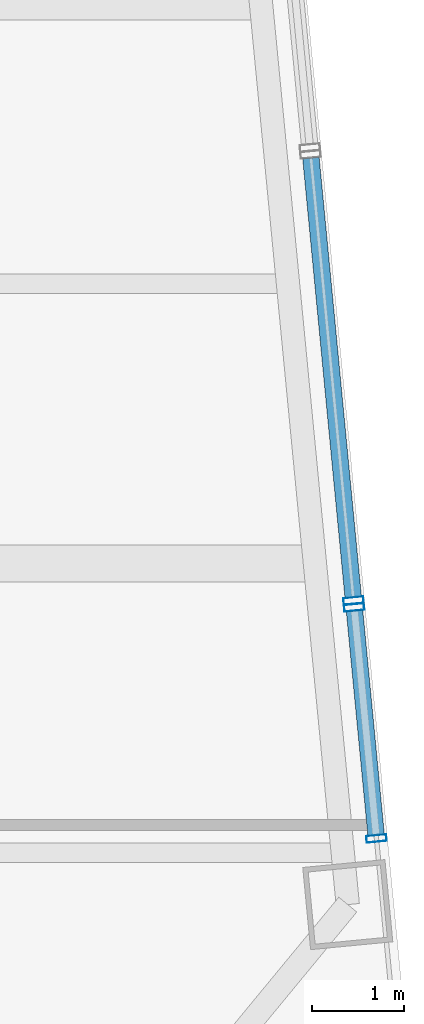
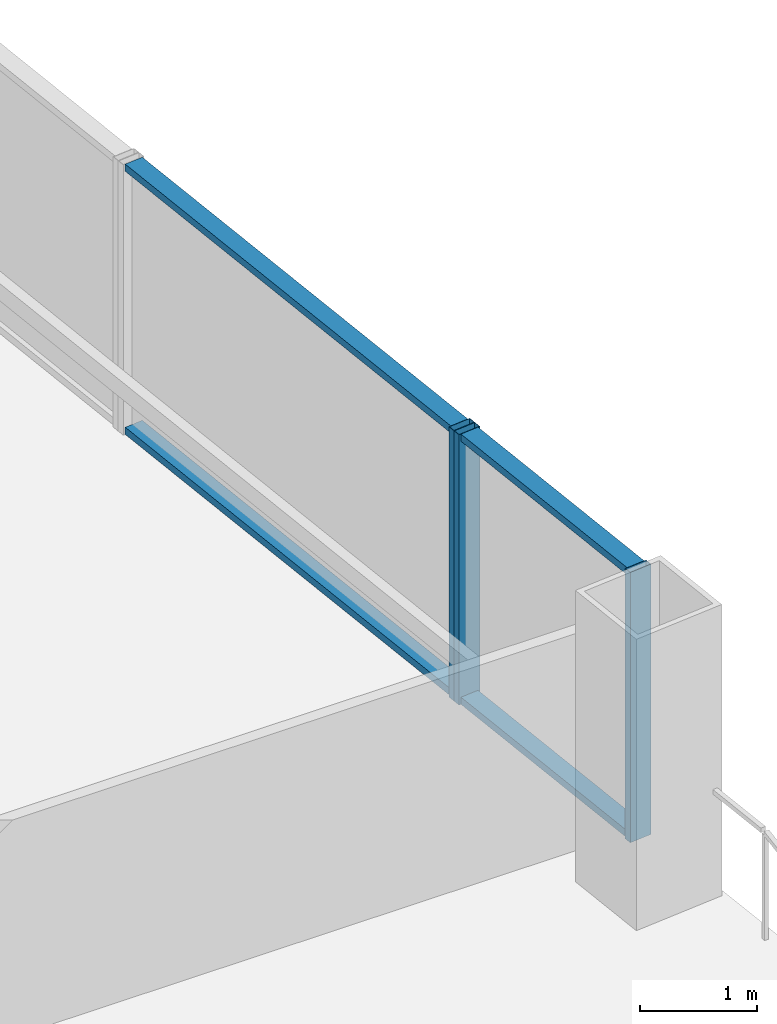
# One storey, part 13 of 32: 7 members, 2 elements without a shape of their own.
"""IFC4 building model written with IfcOpenShell, lengths in metres."""

from ifc_helpers import new_model, si_unit, direction, frame, origin, origin_2d, place, context, subcontext, project, spatial, hollow_rectangle, extrude, material, layer, layer_set, material_profile, profile_set, type_object, element, aggregate, save


model = new_model("IFC4")

# Units and contexts
model_context = context("Model", 3, precision=1e-05, world=origin(), true_north=direction((0.0, 1.0)))
body_context = subcontext(model_context, "Body", "Model", "MODEL_VIEW")
ifc_project = project(units=[si_unit("LENGTHUNIT", "METRE"), si_unit("AREAUNIT", "SQUARE_METRE"), si_unit("VOLUMEUNIT", "CUBIC_METRE"), si_unit("PLANEANGLEUNIT", "RADIAN"), si_unit("MASSUNIT", "GRAM", prefix="KILO")], contexts=[model_context])

# Site, building, storey
site_placement = place(None, origin())
site = spatial("IfcSite", under=ifc_project, at=site_placement, CompositionType="ELEMENT")
building_placement = place(site_placement, origin())
building = spatial("IfcBuilding", under=site, at=building_placement, Name="Qhalaya Broadcast Tower", CompositionType="ELEMENT")
storey_placement = place(building_placement, frame((0.0, 0.0, 87.75)))
storey = spatial("IfcBuildingStorey", under=building, at=storey_placement, Name="L25", CompositionType="ELEMENT", Elevation=87.75)

# Curtain wall, members
ifc_material_1 = material(Name="Fired Architectural Terracotta", Category="masonry")
ifc_layer_1 = layer(ifc_material_1, 0.219970703125, Name="Fired Architectural Terracotta")
ifc_layer_set_1 = layer_set([ifc_layer_1], Name="Fired Architectural Terracotta")
curtain_wall_type_1 = type_object("IfcCurtainWallType", Name="Block-Cap Unitised Terracotta Spandrel Wall CW-07", PredefinedType="NOTDEFINED", material=ifc_layer_set_1)
curtain_wall_1_placement = place(storey_placement, origin())
curtain_wall_1 = element("IfcCurtainWall", 1, at=curtain_wall_1_placement, inside=storey, type_object=curtain_wall_type_1, Name="L25 Unitised Curtain Wall L25-CW-E1", PredefinedType="NOTDEFINED")
ifc_material_2 = material(Name="Anodised Aluminium 6063-T6", Category="aluminium")
ifc_material_profile_1 = material_profile(ifc_material_2, hollow_rectangle(XDim=0.074951171875, YDim=0.219970703125, WallThickness=0.00390625, at=origin_2d()), Name="ALU-MUL 75x220x4")
ifc_profile_set_1 = profile_set([ifc_material_profile_1], Name="Anodised Aluminium 6063-T6")
member_type_1 = type_object("IfcMemberType", Name="Unitised Curtain-Wall Mullion M01", PredefinedType="MULLION", material=ifc_profile_set_1)
member_1_placement = place(storey_placement, frame((29.60498046875, -11.74462890625, 0.0), z_axis=(0.0, 0.0, 1.0), x_axis=(-0.095852900962, 0.995395510025, 0.0)))
member_1 = element("IfcMember", 2, at=member_1_placement, type_object=member_type_1, Name="CW-07 mullion 1", PredefinedType="MULLION", context=body_context, shape_type="SweptSolid", body=[
    extrude(hollow_rectangle(XDim=0.074951171875, YDim=0.219970703125, WallThickness=0.00390625, at=origin_2d()), origin(), (0.0, 0.0, 1.0), 2.830078125),
])
member_2_placement = place(storey_placement, frame((29.362548828125, -9.227294921875, 0.0), z_axis=(0.0, 0.0, 1.0), x_axis=(-0.095852900962, 0.995395510025, 0.0)))
member_2 = element("IfcMember", 3, at=member_2_placement, type_object=member_type_1, Name="CW-07 mullion 2", PredefinedType="MULLION", context=body_context, shape_type="SweptSolid", body=[
    extrude(hollow_rectangle(XDim=0.074951171875, YDim=0.219970703125, WallThickness=0.00390625, at=origin_2d()), origin(), (0.0, 0.0, 1.0), 2.830078125),
])

# Curtain wall, member
ifc_material_3 = material(Name="Solar-Control Low-E Triple Glazing", Category="glass")
ifc_layer_2 = layer(ifc_material_3, 0.219970703125, Name="Solar-Control Low-E Triple Glazing")
ifc_layer_set_2 = layer_set([ifc_layer_2], Name="Solar-Control Low-E Triple Glazing")
curtain_wall_type_2 = type_object("IfcCurtainWallType", Name="Even-Block 4-Storey Double-Module Curtain Wall CW-03", PredefinedType="NOTDEFINED", material=ifc_layer_set_2)
curtain_wall_2_placement = place(storey_placement, origin())
curtain_wall_2 = element("IfcCurtainWall", 4, at=curtain_wall_2_placement, inside=storey, type_object=curtain_wall_type_2, Name="L25 Unitised Curtain Wall L25-CW-E2", PredefinedType="NOTDEFINED")
member_3_placement = place(storey_placement, frame((29.35546875, -9.152587890625, 0.0), z_axis=(0.0, 0.0, 1.0), x_axis=(-0.095844611292, 0.995396308254, 0.0)))
member_3 = element("IfcMember", 5, at=member_3_placement, type_object=member_type_1, Name="CW-03 mullion 1", PredefinedType="MULLION", context=body_context, shape_type="SweptSolid", body=[
    extrude(hollow_rectangle(XDim=0.074951171875, YDim=0.219970703125, WallThickness=0.00390625, at=origin_2d()), origin(), (0.0, 0.0, 1.0), 2.830078125),
])

# Member
ifc_material_profile_2 = material_profile(ifc_material_2, hollow_rectangle(XDim=0.074951171875, YDim=0.179931640625, WallThickness=0.00390625, at=origin_2d()), Name="ALU-TRN 75x180x4")
ifc_profile_set_2 = profile_set([ifc_material_profile_2], Name="Anodised Aluminium 6063-T6")
member_type_2 = type_object("IfcMemberType", Name="Unitised Curtain-Wall Transom T01", PredefinedType="USERDEFINED", material=ifc_profile_set_2)
member_4_placement = place(storey_placement, frame((29.601318359375, -11.707275390625, 0.03759765625), z_axis=(-0.095809089258, 0.995399727956, 0.0), x_axis=(0.0, 0.0, 1.0)))
member_4 = element("IfcMember", 6, at=member_4_placement, type_object=member_type_2, Name="CW-07 transom 1.1", ObjectType="TRANSOM", PredefinedType="USERDEFINED", context=body_context, shape_type="SweptSolid", body=[
    extrude(hollow_rectangle(XDim=0.074951171875, YDim=0.179931640625, WallThickness=0.00390625, at=origin_2d()), origin(), (0.0, 0.0, 1.0), 2.453857421875),
])

member_5_placement = place(storey_placement, frame((29.601318359375, -11.707275390625, 2.79248046875), z_axis=(-0.095809089258, 0.995399727956, 0.0), x_axis=(0.0, 0.0, 1.0)))
member_5 = element("IfcMember", 7, at=member_5_placement, type_object=member_type_2, Name="CW-07 transom 1.2", ObjectType="TRANSOM", PredefinedType="USERDEFINED", context=body_context, shape_type="SweptSolid", body=[
    extrude(hollow_rectangle(XDim=0.074951171875, YDim=0.179931640625, WallThickness=0.00390625, at=origin_2d()), origin(), (0.0, 0.0, 1.0), 2.453857421875),
])

aggregate(curtain_wall_1, [member_1, member_2, member_4, member_5])

member_6_placement = place(storey_placement, frame((29.351806640625, -9.115234375, 0.03759765625), z_axis=(-0.095868180623, 0.995394038532, 0.0), x_axis=(0.0, 0.0, 1.0)))
member_6 = element("IfcMember", 8, at=member_6_placement, type_object=member_type_2, Name="CW-03 transom 1.1", ObjectType="TRANSOM", PredefinedType="USERDEFINED", context=body_context, shape_type="SweptSolid", body=[
    extrude(hollow_rectangle(XDim=0.074951171875, YDim=0.179931640625, WallThickness=0.00390625, at=origin_2d()), origin(), (0.0, 0.0, 1.0), 4.80810546875),
])

member_7_placement = place(storey_placement, frame((29.351806640625, -9.115234375, 2.79248046875), z_axis=(-0.095868180623, 0.995394038532, 0.0), x_axis=(0.0, 0.0, 1.0)))
member_7 = element("IfcMember", 9, at=member_7_placement, type_object=member_type_2, Name="CW-03 transom 1.2", ObjectType="TRANSOM", PredefinedType="USERDEFINED", context=body_context, shape_type="SweptSolid", body=[
    extrude(hollow_rectangle(XDim=0.074951171875, YDim=0.179931640625, WallThickness=0.00390625, at=origin_2d()), origin(), (0.0, 0.0, 1.0), 4.80810546875),
])

aggregate(curtain_wall_2, [member_3, member_6, member_7])

save(model, "model.ifc")
